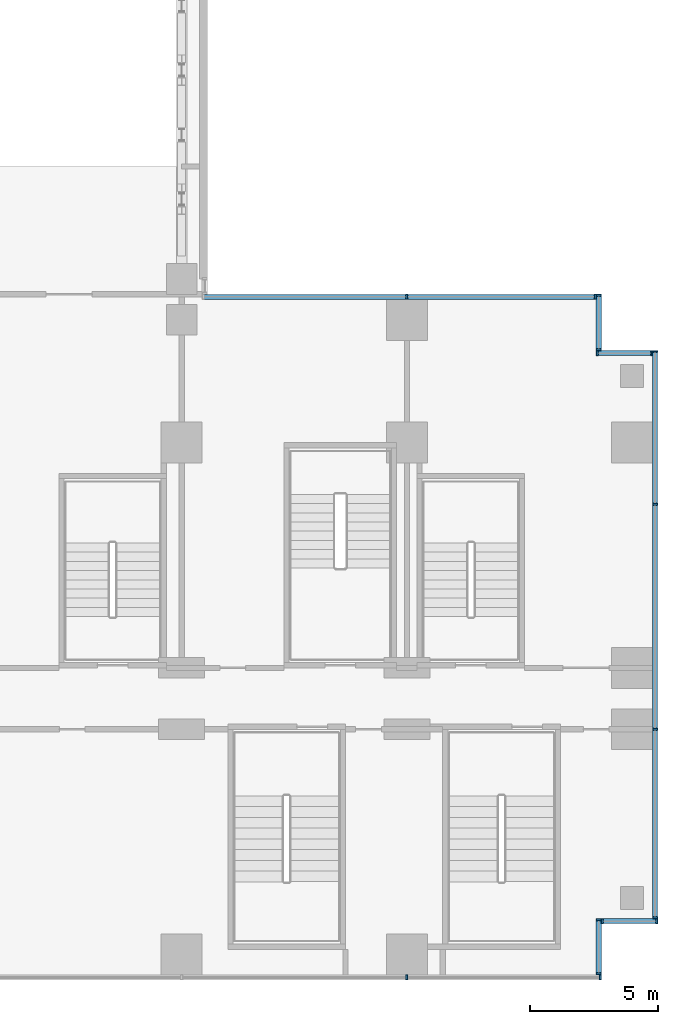
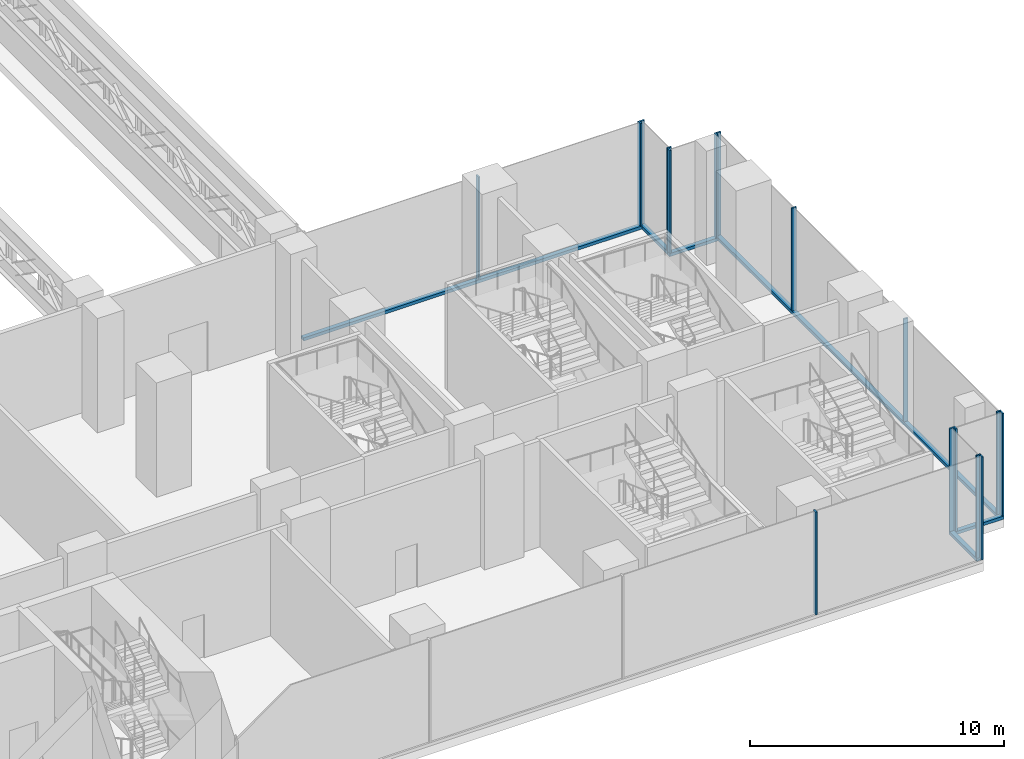
# One storey, part 10 of 30: 22 members, 7 elements without a shape of their own.
"""IFC4 building model written with IfcOpenShell, lengths in metres."""

from ifc_helpers import new_model, si_unit, direction, frame, origin, origin_2d, place, context, subcontext, project, spatial, rectangle, extrude, source, transform, mapped, material, material_profile, profile_set, type_object, element, aggregate, save


model = new_model("IFC4")

# Units and contexts
model_context = context("Model", 3, precision=1e-05, world=origin(), true_north=direction((0.0, 1.0)))
body_context = subcontext(model_context, "Body", "Model", "MODEL_VIEW")
ifc_project = project(units=[si_unit("LENGTHUNIT", "METRE"), si_unit("AREAUNIT", "SQUARE_METRE"), si_unit("VOLUMEUNIT", "CUBIC_METRE"), si_unit("PLANEANGLEUNIT", "RADIAN"), si_unit("MASSUNIT", "GRAM", prefix="KILO")], contexts=[model_context])

# Site, building, storey
site_placement = place(None, origin())
site = spatial("IfcSite", under=ifc_project, at=site_placement, CompositionType="ELEMENT")
building_placement = place(site_placement, origin())
building = spatial("IfcBuilding", under=site, at=building_placement, Name="Kemantara Hotel Tower", CompositionType="ELEMENT")
storey_placement = place(building_placement, frame((0.0, 0.0, 23.5)))
storey = spatial("IfcBuildingStorey", under=building, at=storey_placement, Name="L04", CompositionType="ELEMENT", Elevation=23.5)

# Curtain wall, member
ifc_material_1 = material(Name="Laminated tinted insulated glass 44 mm", Category="glass")
curtain_wall_type = type_object("IfcCurtainWallType", Name="PODIUM GLASS CURTAIN WALL", PredefinedType="USERDEFINED", material=ifc_material_1)
curtain_wall_1_placement = place(storey_placement, origin())
curtain_wall_1 = element("IfcCurtainWall", 1, at=curtain_wall_1_placement, inside=storey, type_object=curtain_wall_type, Name="CW1 L04 POD-R04-1", ObjectType="PODIUM GLASS CURTAIN WALL", PredefinedType="USERDEFINED")
ifc_material_2 = material(Name="Aluminium 6063-T6 bronze anodised", Category="aluminium")
ifc_material_profile_1 = material_profile(ifc_material_2, rectangle(XDim=0.199951171875, YDim=0.14990234375, at=origin_2d()), Name="PODIUM GLASS CURTAIN WALL TRANSOM")
ifc_profile_set_1 = profile_set([ifc_material_profile_1], Name="Aluminium 6063-T6 bronze anodised")
member_type_1 = type_object("IfcMemberType", Name="PODIUM GLASS CURTAIN WALL TRANSOM", PredefinedType="USERDEFINED", material=ifc_profile_set_1)
member_1_placement = place(storey_placement, frame((81.10009765625, 2.39990234375, 0.074951171875), z_axis=(0.0, 1.0, 0.0), x_axis=(-1.0, 0.0, 0.0)))
member_1 = element("IfcMember", 2, at=member_1_placement, type_object=member_type_1, Name="CW1 sill transom POD-R04-1", ObjectType="TRANSOM", PredefinedType="USERDEFINED", context=body_context, shape_type="SweptSolid", body=[
    extrude(rectangle(XDim=0.199951171875, YDim=0.14990234375, at=origin_2d()), origin(), (0.0, 0.0, 1.0), 22.2001953125),
])

curtain_wall_2_placement = place(storey_placement, origin())
curtain_wall_2 = element("IfcCurtainWall", 3, at=curtain_wall_2_placement, inside=storey, type_object=curtain_wall_type, Name="CW1 L04 POD-R07-1", ObjectType="PODIUM GLASS CURTAIN WALL", PredefinedType="USERDEFINED")
member_2_placement = place(storey_placement, frame((78.800048828125, 26.699951171875, 0.074951171875), z_axis=(-1.0, 0.0, 0.0), x_axis=(0.0, -1.0, 0.0)))
member_2 = element("IfcMember", 4, at=member_2_placement, type_object=member_type_1, Name="CW1 sill transom POD-R07-1", ObjectType="TRANSOM", PredefinedType="USERDEFINED", context=body_context, shape_type="SweptSolid", body=[
    extrude(rectangle(XDim=0.199951171875, YDim=0.14990234375, at=origin_2d()), origin(), (0.0, 0.0, 1.0), 15.400146484375),
])

curtain_wall_3_placement = place(storey_placement, origin())
curtain_wall_3 = element("IfcCurtainWall", 5, at=curtain_wall_3_placement, inside=storey, type_object=curtain_wall_type, Name="CW1 L04 POD-R02-1", ObjectType="PODIUM GLASS CURTAIN WALL", PredefinedType="USERDEFINED")
member_3_placement = place(storey_placement, frame((78.89990234375, 0.199951171875, 0.074951171875), z_axis=(0.0, 1.0, 0.0), x_axis=(-1.0, 0.0, 0.0)))
member_3 = element("IfcMember", 6, at=member_3_placement, type_object=member_type_1, Name="CW1 sill transom POD-R02-1", ObjectType="TRANSOM", PredefinedType="USERDEFINED", context=body_context, shape_type="SweptSolid", body=[
    extrude(rectangle(XDim=0.199951171875, YDim=0.14990234375, at=origin_2d()), origin(), (0.0, 0.0, 1.0), 2.199951171875),
])

curtain_wall_4_placement = place(storey_placement, origin())
curtain_wall_4 = element("IfcCurtainWall", 7, at=curtain_wall_4_placement, inside=storey, type_object=curtain_wall_type, Name="CW1 L04 POD-R03-1", ObjectType="PODIUM GLASS CURTAIN WALL", PredefinedType="USERDEFINED")
member_4_placement = place(storey_placement, frame((79.0, 2.300048828125, 0.074951171875), z_axis=(1.0, 0.0, 0.0), x_axis=(0.0, 1.0, 0.0)))
member_4 = element("IfcMember", 8, at=member_4_placement, type_object=member_type_1, Name="CW1 sill transom POD-R03-1", ObjectType="TRANSOM", PredefinedType="USERDEFINED", context=body_context, shape_type="SweptSolid", body=[
    extrude(rectangle(XDim=0.199951171875, YDim=0.14990234375, at=origin_2d()), origin(), (0.0, 0.0, 1.0), 2.199951171875),
])

curtain_wall_5_placement = place(storey_placement, origin())
curtain_wall_5 = element("IfcCurtainWall", 9, at=curtain_wall_5_placement, inside=storey, type_object=curtain_wall_type, Name="CW1 L04 POD-R05-1", ObjectType="PODIUM GLASS CURTAIN WALL", PredefinedType="USERDEFINED")
member_5_placement = place(storey_placement, frame((81.0, 24.5, 0.074951171875), z_axis=(-1.0, 0.0, 0.0), x_axis=(0.0, -1.0, 0.0)))
member_5 = element("IfcMember", 10, at=member_5_placement, type_object=member_type_1, Name="CW1 sill transom POD-R05-1", ObjectType="TRANSOM", PredefinedType="USERDEFINED", context=body_context, shape_type="SweptSolid", body=[
    extrude(rectangle(XDim=0.199951171875, YDim=0.14990234375, at=origin_2d()), origin(), (0.0, 0.0, 1.0), 2.199951171875),
])

curtain_wall_6_placement = place(storey_placement, origin())
curtain_wall_6 = element("IfcCurtainWall", 11, at=curtain_wall_6_placement, inside=storey, type_object=curtain_wall_type, Name="CW1 L04 POD-R06-1", ObjectType="PODIUM GLASS CURTAIN WALL", PredefinedType="USERDEFINED")
member_6_placement = place(storey_placement, frame((78.89990234375, 24.60009765625, 0.074951171875), z_axis=(0.0, 1.0, 0.0), x_axis=(-1.0, 0.0, 0.0)))
member_6 = element("IfcMember", 12, at=member_6_placement, type_object=member_type_1, Name="CW1 sill transom POD-R06-1", ObjectType="TRANSOM", PredefinedType="USERDEFINED", context=body_context, shape_type="SweptSolid", body=[
    extrude(rectangle(XDim=0.199951171875, YDim=0.14990234375, at=origin_2d()), origin(), (0.0, 0.0, 1.0), 2.199951171875),
])

# Curtain wall, members
curtain_wall_7_placement = place(storey_placement, origin())
curtain_wall_7 = element("IfcCurtainWall", 13, at=curtain_wall_7_placement, inside=storey, type_object=curtain_wall_type, Name="CW1 L04 POD-R01-2", ObjectType="PODIUM GLASS CURTAIN WALL", PredefinedType="USERDEFINED")
ifc_material_profile_2 = material_profile(ifc_material_2, rectangle(XDim=0.199951171875, YDim=0.074951171875, at=origin_2d()), Name="PODIUM GLASS CURTAIN WALL MULLION")
ifc_profile_set_2 = profile_set([ifc_material_profile_2], Name="Aluminium 6063-T6 bronze anodised")
member_type_2 = type_object("IfcMemberType", Name="PODIUM GLASS CURTAIN WALL MULLION", PredefinedType="MULLION", material=ifc_profile_set_2)
shared_shape = source(origin(), body_context, "Body", "SweptSolid", [
    extrude(rectangle(XDim=0.199951171875, YDim=0.074951171875, at=origin_2d()), origin(), (0.0, 0.0, 1.0), 4.9501953125),
])
member_7_placement = place(storey_placement, frame((71.39990234375, 0.10009765625, 0.14990234375), z_axis=(0.0, 0.0, 1.0), x_axis=(0.0, 1.0, 0.0)))
member_7 = element("IfcMember", 14, at=member_7_placement, type_object=member_type_2, Name="CW1 mullion POD-R01-2.4", PredefinedType="MULLION", context=body_context, shape_type="MappedRepresentation", body=[
    mapped(shared_shape, transform((0.0, 0.0, 0.0))),
])
member_8_placement = place(storey_placement, frame((78.96240234375, 0.10009765625, 0.14990234375), z_axis=(0.0, 0.0, 1.0), x_axis=(0.0, 1.0, 0.0)))
member_8 = element("IfcMember", 15, at=member_8_placement, type_object=member_type_2, Name="CW1 mullion POD-R01-2.5", PredefinedType="MULLION", context=body_context, shape_type="MappedRepresentation", body=[
    mapped(shared_shape, transform((0.0, 0.0, 0.0))),
])
aggregate(curtain_wall_7, [member_7, member_8])

# Member
member_9_placement = place(storey_placement, frame((81.10009765625, 2.4375, 0.14990234375), z_axis=(0.0, 0.0, 1.0), x_axis=(-1.0, 0.0, 0.0)))
member_9 = element("IfcMember", 16, at=member_9_placement, type_object=member_type_2, Name="CW1 mullion POD-R04-1.1", PredefinedType="MULLION", context=body_context, shape_type="MappedRepresentation", body=[
    mapped(shared_shape, transform((0.0, 0.0, 0.0))),
])

member_10_placement = place(storey_placement, frame((81.10009765625, 9.800048828125, 0.14990234375), z_axis=(0.0, 0.0, 1.0), x_axis=(-1.0, 0.0, 0.0)))
member_10 = element("IfcMember", 17, at=member_10_placement, type_object=member_type_2, Name="CW1 mullion POD-R04-1.2", PredefinedType="MULLION", context=body_context, shape_type="MappedRepresentation", body=[
    mapped(shared_shape, transform((0.0, 0.0, 0.0))),
])

member_11_placement = place(storey_placement, frame((81.10009765625, 18.60009765625, 0.14990234375), z_axis=(0.0, 0.0, 1.0), x_axis=(-1.0, 0.0, 0.0)))
member_11 = element("IfcMember", 18, at=member_11_placement, type_object=member_type_2, Name="CW1 mullion POD-R04-1.3", PredefinedType="MULLION", context=body_context, shape_type="MappedRepresentation", body=[
    mapped(shared_shape, transform((0.0, 0.0, 0.0))),
])

member_12_placement = place(storey_placement, frame((81.10009765625, 24.5625, 0.14990234375), z_axis=(0.0, 0.0, 1.0), x_axis=(-1.0, 0.0, 0.0)))
member_12 = element("IfcMember", 19, at=member_12_placement, type_object=member_type_2, Name="CW1 mullion POD-R04-1.4", PredefinedType="MULLION", context=body_context, shape_type="MappedRepresentation", body=[
    mapped(shared_shape, transform((0.0, 0.0, 0.0))),
])

aggregate(curtain_wall_1, [member_1, member_9, member_10, member_11, member_12])

member_13_placement = place(storey_placement, frame((78.762451171875, 26.699951171875, 0.14990234375), z_axis=(0.0, 0.0, 1.0), x_axis=(0.0, -1.0, 0.0)))
member_13 = element("IfcMember", 20, at=member_13_placement, type_object=member_type_2, Name="CW1 mullion POD-R07-1.1", PredefinedType="MULLION", context=body_context, shape_type="MappedRepresentation", body=[
    mapped(shared_shape, transform((0.0, 0.0, 0.0))),
])

member_14_placement = place(storey_placement, frame((71.39990234375, 26.699951171875, 0.14990234375), z_axis=(0.0, 0.0, 1.0), x_axis=(0.0, -1.0, 0.0)))
member_14 = element("IfcMember", 21, at=member_14_placement, type_object=member_type_2, Name="CW1 mullion POD-R07-1.2", PredefinedType="MULLION", context=body_context, shape_type="MappedRepresentation", body=[
    mapped(shared_shape, transform((0.0, 0.0, 0.0))),
])

aggregate(curtain_wall_2, [member_2, member_13, member_14])

member_15_placement = place(storey_placement, frame((78.89990234375, 0.237548828125, 0.14990234375), z_axis=(0.0, 0.0, 1.0), x_axis=(-1.0, 0.0, 0.0)))
member_15 = element("IfcMember", 22, at=member_15_placement, type_object=member_type_2, Name="CW1 mullion POD-R02-1.1", PredefinedType="MULLION", context=body_context, shape_type="MappedRepresentation", body=[
    mapped(shared_shape, transform((0.0, 0.0, 0.0))),
])

member_16_placement = place(storey_placement, frame((78.89990234375, 2.362548828125, 0.14990234375), z_axis=(0.0, 0.0, 1.0), x_axis=(-1.0, 0.0, 0.0)))
member_16 = element("IfcMember", 23, at=member_16_placement, type_object=member_type_2, Name="CW1 mullion POD-R02-1.2", PredefinedType="MULLION", context=body_context, shape_type="MappedRepresentation", body=[
    mapped(shared_shape, transform((0.0, 0.0, 0.0))),
])

aggregate(curtain_wall_3, [member_3, member_15, member_16])

member_17_placement = place(storey_placement, frame((79.03759765625, 2.300048828125, 0.14990234375), z_axis=(0.0, 0.0, 1.0), x_axis=(0.0, 1.0, 0.0)))
member_17 = element("IfcMember", 24, at=member_17_placement, type_object=member_type_2, Name="CW1 mullion POD-R03-1.1", PredefinedType="MULLION", context=body_context, shape_type="MappedRepresentation", body=[
    mapped(shared_shape, transform((0.0, 0.0, 0.0))),
])

member_18_placement = place(storey_placement, frame((81.16259765625, 2.300048828125, 0.14990234375), z_axis=(0.0, 0.0, 1.0), x_axis=(0.0, 1.0, 0.0)))
member_18 = element("IfcMember", 25, at=member_18_placement, type_object=member_type_2, Name="CW1 mullion POD-R03-1.2", PredefinedType="MULLION", context=body_context, shape_type="MappedRepresentation", body=[
    mapped(shared_shape, transform((0.0, 0.0, 0.0))),
])

aggregate(curtain_wall_4, [member_4, member_17, member_18])

member_19_placement = place(storey_placement, frame((80.96240234375, 24.5, 0.14990234375), z_axis=(0.0, 0.0, 1.0), x_axis=(0.0, -1.0, 0.0)))
member_19 = element("IfcMember", 26, at=member_19_placement, type_object=member_type_2, Name="CW1 mullion POD-R05-1.1", PredefinedType="MULLION", context=body_context, shape_type="MappedRepresentation", body=[
    mapped(shared_shape, transform((0.0, 0.0, 0.0))),
])

member_20_placement = place(storey_placement, frame((78.83740234375, 24.5, 0.14990234375), z_axis=(0.0, 0.0, 1.0), x_axis=(0.0, -1.0, 0.0)))
member_20 = element("IfcMember", 27, at=member_20_placement, type_object=member_type_2, Name="CW1 mullion POD-R05-1.2", PredefinedType="MULLION", context=body_context, shape_type="MappedRepresentation", body=[
    mapped(shared_shape, transform((0.0, 0.0, 0.0))),
])

aggregate(curtain_wall_5, [member_5, member_19, member_20])

member_21_placement = place(storey_placement, frame((78.89990234375, 24.637451171875, 0.14990234375), z_axis=(0.0, 0.0, 1.0), x_axis=(-1.0, 0.0, 0.0)))
member_21 = element("IfcMember", 28, at=member_21_placement, type_object=member_type_2, Name="CW1 mullion POD-R06-1.1", PredefinedType="MULLION", context=body_context, shape_type="MappedRepresentation", body=[
    mapped(shared_shape, transform((0.0, 0.0, 0.0))),
])

member_22_placement = place(storey_placement, frame((78.89990234375, 26.762451171875, 0.14990234375), z_axis=(0.0, 0.0, 1.0), x_axis=(-1.0, 0.0, 0.0)))
member_22 = element("IfcMember", 29, at=member_22_placement, type_object=member_type_2, Name="CW1 mullion POD-R06-1.2", PredefinedType="MULLION", context=body_context, shape_type="MappedRepresentation", body=[
    mapped(shared_shape, transform((0.0, 0.0, 0.0))),
])

aggregate(curtain_wall_6, [member_6, member_21, member_22])

save(model, "model.ifc")
